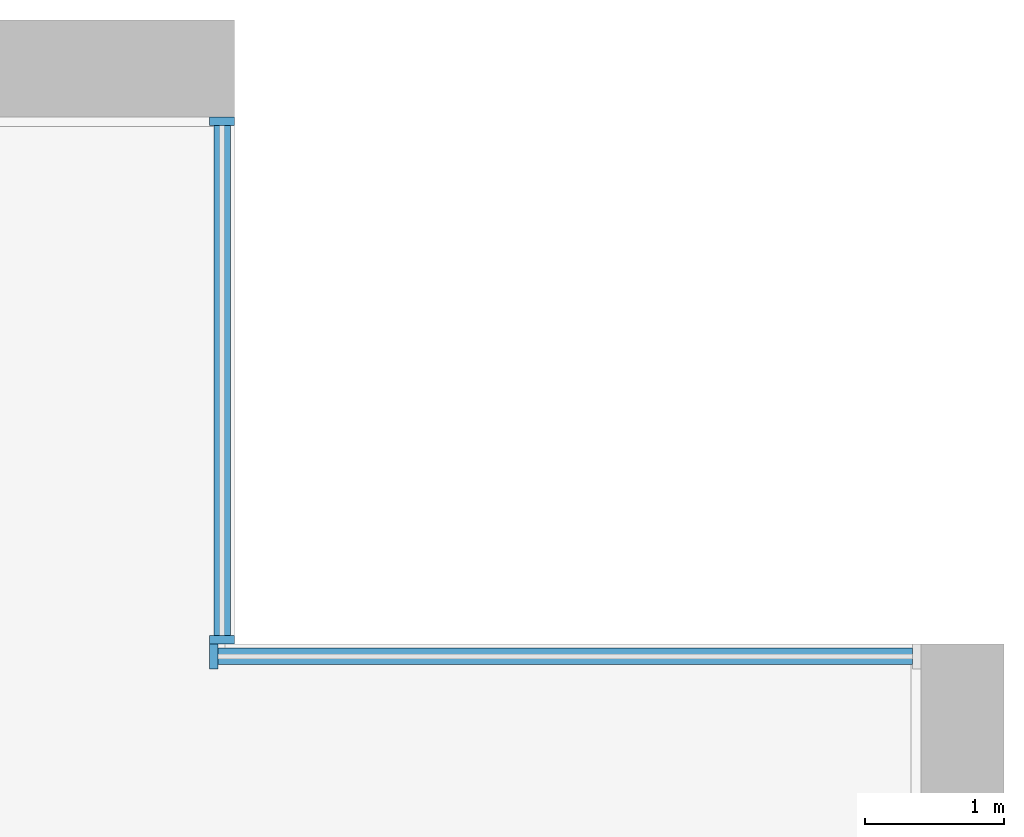
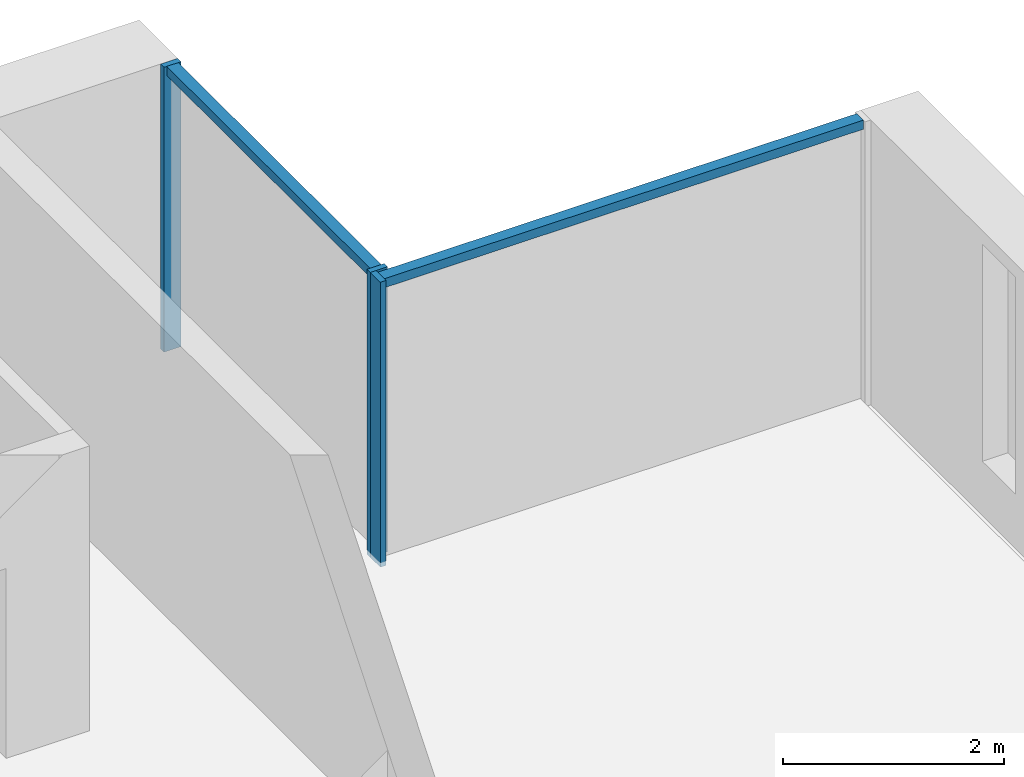
# One storey, part 5 of 16: 5 members, 2 elements without a shape of their own.
"""IFC4 building model written with IfcOpenShell, lengths in metres."""

import ifcopenshell
import ifcopenshell.guid

model = None  # the IFC model being written
_history = None  # IfcOwnerHistory: only IFC2X3 demands one
_inside = {}  # id of a spatial element -> (the spatial element, [elements in it])
_under = {}  # id of a project, library or spatial element -> (it, [spatial elements below it])
_declared = {}  # id of a project -> (the project, [libraries it declares])
_typed = {}  # id of a type object -> (the type object, [elements of that type])
_made_of = {}  # id of a material, layer set ... -> (it, [elements and type objects made of it])


def new_model(schema):
    """Start an empty IFC model of exactly this schema.

    Asked for "IFC4X3", IfcOpenShell would pick the latest addendum, in which some entities
    have other attributes; the version numbers below select the first issue.
    IFC2X3 requires an IfcOwnerHistory on every rooted entity: one is made here for all.
    """
    global model, _history
    if schema == "IFC4X3":
        model = ifcopenshell.file(schema_version=(4, 3, 0, 0))
    else:
        model = ifcopenshell.file(schema=schema)
    _inside.clear()
    _under.clear()
    _declared.clear()
    _typed.clear()
    _made_of.clear()
    _history = None
    if model.schema == "IFC2X3":
        org = make("IfcOrganization", Name="unknown")
        user = make(
            "IfcPersonAndOrganization",
            ThePerson=make("IfcPerson", FamilyName="unknown"),
            TheOrganization=org,
        )
        app = make(
            "IfcApplication",
            ApplicationDeveloper=org,
            Version="unknown",
            ApplicationFullName="unknown",
            ApplicationIdentifier="unknown",
        )
        _history = make(
            "IfcOwnerHistory",
            OwningUser=user,
            OwningApplication=app,
            ChangeAction="ADDED",
            CreationDate=0,
        )
    return model


def make(cls, **values):
    """One entity of the class cls with the attributes given. An attribute that is None is left unset."""
    return model.create_entity(
        cls, **{name: value for name, value in values.items() if value is not None}
    )


def rooted(cls, **values):
    """An entity with a GlobalId (a new one), such as an element, a storey or a relation."""
    return make(cls, GlobalId=ifcopenshell.guid.new(), OwnerHistory=_history, **values)


def si_unit(unit_type, name, prefix=None):
    """IfcSIUnit, for example si_unit("LENGTHUNIT", "METRE", prefix="MILLI")."""
    return make("IfcSIUnit", UnitType=unit_type, Prefix=prefix, Name=name)


def assignment(units):
    """IfcUnitAssignment: the units of a project."""
    return None if units is None else make("IfcUnitAssignment", Units=units)


def point(xyz):
    """IfcCartesianPoint."""
    return None if xyz is None else make("IfcCartesianPoint", Coordinates=xyz)


def direction(xyz):
    """IfcDirection."""
    return None if xyz is None else make("IfcDirection", DirectionRatios=xyz)


def frame(location, z_axis=None, x_axis=None):
    """IfcAxis2Placement3D, a coordinate frame: its origin and axes. An axis left out is left unset."""
    return make(
        "IfcAxis2Placement3D",
        Location=point(location),
        Axis=direction(z_axis),
        RefDirection=direction(x_axis),
    )


def frame_2d(location, x_axis=None):
    """IfcAxis2Placement2D, a coordinate frame in the plane: its origin and x axis."""
    return make(
        "IfcAxis2Placement2D", Location=point(location), RefDirection=direction(x_axis)
    )


def origin():
    """The frame at (0, 0, 0) with its axes left unset."""
    return frame((0.0, 0.0, 0.0))


def origin_2d():
    """The frame at (0, 0) in the plane with its x axis left unset."""
    return frame_2d((0.0, 0.0))


def place(relative_to, where):
    """IfcLocalPlacement: puts the frame where relative to a parent placement (None: the world)."""
    return make(
        "IfcLocalPlacement", PlacementRelTo=relative_to, RelativePlacement=where
    )


def context(
    kind, dimensions, precision=None, world=None, true_north=None, identifier=None
):
    """IfcGeometricRepresentationContext, for example the 3D "Model" context."""
    return make(
        "IfcGeometricRepresentationContext",
        ContextIdentifier=identifier,
        ContextType=kind,
        CoordinateSpaceDimension=dimensions,
        Precision=precision,
        WorldCoordinateSystem=world,
        TrueNorth=true_north,
    )


def subcontext(parent, identifier, kind, view, scale=None):
    """IfcGeometricRepresentationSubContext, for example "Body" below "Model"."""
    return make(
        "IfcGeometricRepresentationSubContext",
        ContextIdentifier=identifier,
        ContextType=kind,
        ParentContext=parent,
        TargetScale=scale,
        TargetView=view,
    )


def project(units=None, contexts=None):
    """IfcProject with its units and contexts."""
    return rooted(
        "IfcProject",
        Name="project",
        RepresentationContexts=contexts,
        UnitsInContext=assignment(units),
    )


def spatial(cls, under=None, at=None, **own):
    """A site, building, storey or space (cls), placed at a placement, below another one or the project."""
    s = rooted(cls, ObjectPlacement=at, **own)
    if under is not None:
        _under.setdefault(under.id(), (under, []))[1].append(s)
    return s


def profile(cls, at=None, kind="AREA", **sizes):
    """A parametric profile (cls). Its sizes go by their IFC names, for example OverallWidth=200.0."""
    return make(cls, ProfileType=kind, Position=at, **sizes)


def rectangle(**sizes):
    """IfcRectangleProfileDef."""
    return profile("IfcRectangleProfileDef", **sizes)


def extrude(swept, where, along, depth):
    """IfcExtrudedAreaSolid: the profile swept, set in the frame where, extruded along a direction by depth."""
    return make(
        "IfcExtrudedAreaSolid",
        SweptArea=swept,
        Position=where,
        ExtrudedDirection=direction(along),
        Depth=depth,
    )


def shape(context_of_items, identifier, shape_type, items):
    """IfcShapeRepresentation: the items that make up one representation, for example the "Body"."""
    return make(
        "IfcShapeRepresentation",
        ContextOfItems=context_of_items,
        RepresentationIdentifier=identifier,
        RepresentationType=shape_type,
        Items=items,
    )


def material(Name=None, Category=None):
    """IfcMaterial."""
    return make("IfcMaterial", Name=Name, Category=Category)


def material_profile(
    of_material, cross_section, Name=None, Category=None, Priority=None
):
    """IfcMaterialProfile: a cross section and its material."""
    return make(
        "IfcMaterialProfile",
        Name=Name,
        Material=of_material,
        Profile=cross_section,
        Priority=Priority,
        Category=Category,
    )


def profile_set(profiles, Name=None, composite=None):
    """IfcMaterialProfileSet."""
    return make(
        "IfcMaterialProfileSet",
        Name=Name,
        MaterialProfiles=profiles,
        CompositeProfile=composite,
    )


def made_of(thing, what):
    """Note that an element or type object is made of a material, layer set ...; save() writes the relation."""
    if what is not None:
        _made_of.setdefault(what.id(), (what, []))[1].append(thing)
    return thing


def type_object(cls, material=None, **own):
    """A type object (cls), such as IfcWallType, which elements share."""
    return made_of(rooted(cls, **own), material)


def element(
    cls,
    number,
    at=None,
    inside=None,
    cuts=None,
    type_object=None,
    material=None,
    context=None,
    identifier="Body",
    shape_type=None,
    held_by="IfcProductDefinitionShape",
    body=None,
    shapes=None,
    **own,
):
    """One element of the class cls, such as IfcWall. Its Tag is "e" and its number.

    at: its placement. inside: the storey or other place that contains it. cuts: it is an
    opening in that element (IfcRelVoidsElement). A single representation is given by context,
    identifier, shape_type and body (its items); several are given by shapes. held_by: the class
    of the entity that holds the representations. save() writes the other relations.
    """
    e = rooted(cls, Tag="e%d" % number, ObjectPlacement=at, **own)
    if body is not None:
        shapes = [shape(context, identifier, shape_type, body)]
    if shapes is not None:
        e.Representation = make(held_by, Representations=shapes)
    if inside is not None:
        _inside.setdefault(inside.id(), (inside, []))[1].append(e)
    if cuts is not None:
        rooted(
            "IfcRelVoidsElement", RelatingBuildingElement=cuts, RelatedOpeningElement=e
        )
    if type_object is not None:
        _typed.setdefault(type_object.id(), (type_object, []))[1].append(e)
    return made_of(e, material)


def aggregate(whole, parts):
    """IfcRelAggregates: a whole, such as a stair, and the parts it consists of."""
    return rooted("IfcRelAggregates", RelatingObject=whole, RelatedObjects=parts)


def save(model, path):
    """Write the relations noted so far, then the file.

    IfcRelAggregates (storeys below a building ...), IfcRelContainedInSpatialStructure (elements
    in a storey), IfcRelDefinesByType, IfcRelAssociatesMaterial and IfcRelDeclares: one each for
    every whole, place, type object, material and project.
    """
    for whole, parts in _under.values():
        aggregate(whole, parts)
    for where, things in _inside.values():
        rooted(
            "IfcRelContainedInSpatialStructure",
            RelatedElements=things,
            RelatingStructure=where,
        )
    for kind, things in _typed.values():
        rooted("IfcRelDefinesByType", RelatedObjects=things, RelatingType=kind)
    for what, things in _made_of.values():
        rooted("IfcRelAssociatesMaterial", RelatedObjects=things, RelatingMaterial=what)
    for by, libraries in _declared.values():
        rooted("IfcRelDeclares", RelatingContext=by, RelatedDefinitions=libraries)
    model.write(path)


model = new_model("IFC4")

# Units and contexts
model_context = context("Model", 3, precision=1e-05, world=origin(), true_north=direction((0.0, 1.0)))
body_context = subcontext(model_context, "Body", "Model", "MODEL_VIEW")
ifc_project = project(units=[si_unit("LENGTHUNIT", "METRE"), si_unit("AREAUNIT", "SQUARE_METRE"), si_unit("VOLUMEUNIT", "CUBIC_METRE"), si_unit("PLANEANGLEUNIT", "RADIAN"), si_unit("MASSUNIT", "GRAM", prefix="KILO")], contexts=[model_context])

# Site, building, storey
site_placement = place(None, origin())
site = spatial("IfcSite", under=ifc_project, at=site_placement, CompositionType="ELEMENT")
building_placement = place(site_placement, origin())
building = spatial("IfcBuilding", under=site, at=building_placement, Name="Calvaro Tower", CompositionType="ELEMENT")
storey_placement = place(building_placement, frame((0.0, 0.0, 223.0)))
storey = spatial("IfcBuildingStorey", under=building, at=storey_placement, Name="L56", CompositionType="ELEMENT", Elevation=223.0)

# Curtain wall, members
ifc_material_1 = material(Name="Anodised aluminium", Category="aluminium")
curtain_wall_type = type_object("IfcCurtainWallType", Name="Office curtain wall, upper zone", PredefinedType="NOTDEFINED", material=ifc_material_1)
curtain_wall_1_placement = place(storey_placement, origin())
curtain_wall_1 = element("IfcCurtainWall", 1, at=curtain_wall_1_placement, inside=storey, type_object=curtain_wall_type, Name="CW3 corner curtain wall", PredefinedType="NOTDEFINED")
ifc_material_2 = material(Name="Anodised aluminium", Category="aluminium")
ifc_material_profile_1 = material_profile(ifc_material_2, rectangle(XDim=0.179931640625, YDim=0.06005859375, at=origin_2d()), Name="Mullion S3 60 x 180")
ifc_profile_set_1 = profile_set([ifc_material_profile_1], Name="Anodised aluminium")
member_type_1 = type_object("IfcMemberType", Name="Mullion S3 60 x 180", PredefinedType="MULLION", material=ifc_profile_set_1)
member_1_placement = place(storey_placement, frame((66.360107421875, 41.530029296875, 0.0), z_axis=(0.0, 0.0, 1.0), x_axis=(-1.0, 0.0, 0.0)))
member_1 = element("IfcMember", 2, at=member_1_placement, type_object=member_type_1, Name="CW3 mullion 1", PredefinedType="MULLION", context=body_context, shape_type="SweptSolid", body=[
    extrude(rectangle(XDim=0.179931640625, YDim=0.06005859375, at=origin_2d()), origin(), (0.0, 0.0, 1.0), 3.14990234375),
])
member_2_placement = place(storey_placement, frame((66.360107421875, 45.27001953125, 0.0), z_axis=(0.0, 0.0, 1.0), x_axis=(-1.0, 0.0, 0.0)))
member_2 = element("IfcMember", 3, at=member_2_placement, type_object=member_type_1, Name="CW3 mullion 2", PredefinedType="MULLION", context=body_context, shape_type="SweptSolid", body=[
    extrude(rectangle(XDim=0.179931640625, YDim=0.06005859375, at=origin_2d()), origin(), (0.0, 0.0, 1.0), 3.14990234375),
])

# Curtain wall, member
curtain_wall_2_placement = place(storey_placement, origin())
curtain_wall_2 = element("IfcCurtainWall", 4, at=curtain_wall_2_placement, inside=storey, type_object=curtain_wall_type, Name="CW3 corner curtain wall", PredefinedType="NOTDEFINED")
member_3_placement = place(storey_placement, frame((66.300048828125, 41.409912109375, 0.0), z_axis=(0.0, 0.0, 1.0), x_axis=(0.0, 1.0, 0.0)))
member_3 = element("IfcMember", 5, at=member_3_placement, type_object=member_type_1, Name="CW3 mullion 1", PredefinedType="MULLION", context=body_context, shape_type="SweptSolid", body=[
    extrude(rectangle(XDim=0.179931640625, YDim=0.06005859375, at=origin_2d()), origin(), (0.0, 0.0, 1.0), 3.14990234375),
])

# Member
ifc_material_3 = material(Name="Anodised aluminium", Category="aluminium")
ifc_material_profile_2 = material_profile(ifc_material_3, rectangle(XDim=0.1201171875, YDim=0.10009765625, at=origin_2d()), Name="Transom S3 100 x 120")
ifc_profile_set_2 = profile_set([ifc_material_profile_2], Name="Anodised aluminium")
member_type_2 = type_object("IfcMemberType", Name="Transom S3 100 x 120", PredefinedType="USERDEFINED", material=ifc_profile_set_2)
member_4_placement = place(storey_placement, frame((66.360107421875, 41.56005859375, 3.10009765625), z_axis=(0.0, 1.0, 0.0), x_axis=(-1.0, 0.0, 0.0)))
member_4 = element("IfcMember", 6, at=member_4_placement, type_object=member_type_2, Name="CW3 transom 1.1", ObjectType="TRANSOM", PredefinedType="USERDEFINED", context=body_context, shape_type="SweptSolid", body=[
    extrude(rectangle(XDim=0.1201171875, YDim=0.10009765625, at=origin_2d()), origin(), (0.0, 0.0, 1.0), 3.679931640625),
])

aggregate(curtain_wall_1, [member_1, member_2, member_4])

member_5_placement = place(storey_placement, frame((66.330078125, 41.409912109375, 3.10009765625), z_axis=(1.0, 0.0, 0.0), x_axis=(0.0, 1.0, 0.0)))
member_5 = element("IfcMember", 7, at=member_5_placement, type_object=member_type_2, Name="CW3 transom 1.1", ObjectType="TRANSOM", PredefinedType="USERDEFINED", context=body_context, shape_type="SweptSolid", body=[
    extrude(rectangle(XDim=0.1201171875, YDim=0.10009765625, at=origin_2d()), origin(), (0.0, 0.0, 1.0), 5.010009765625),
])

aggregate(curtain_wall_2, [member_3, member_5])

save(model, "model.ifc")
